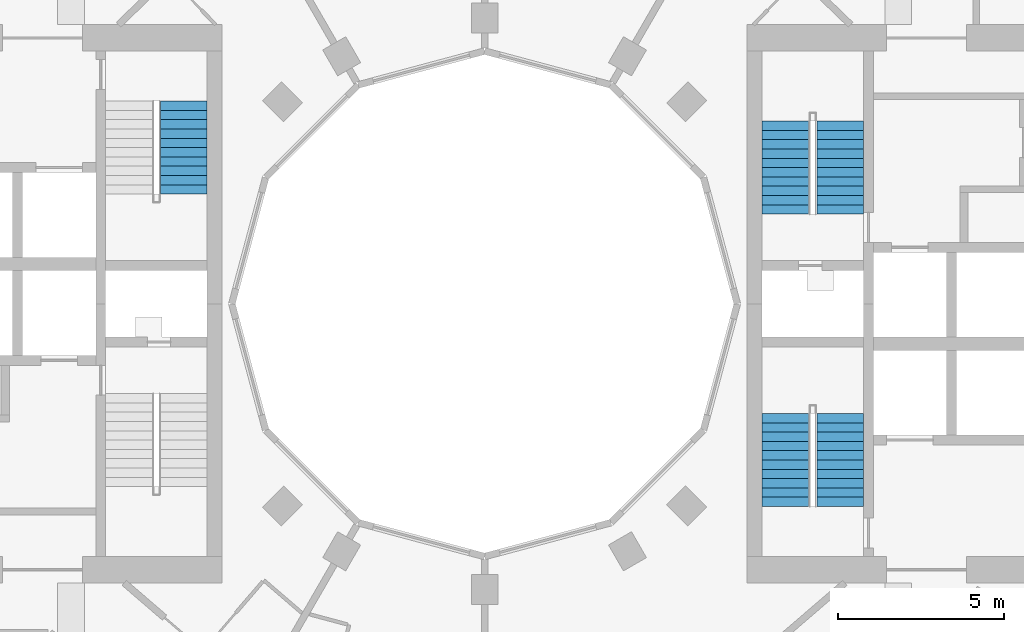
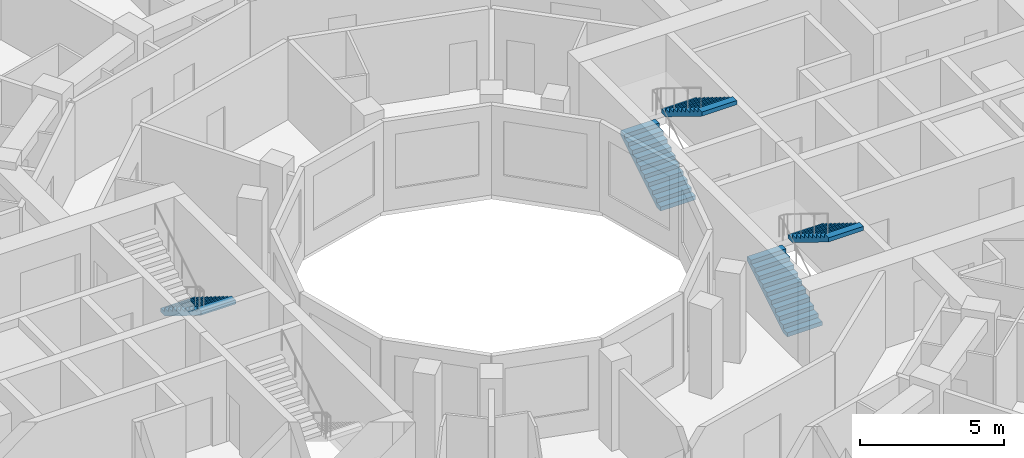
# One storey, part 13 of 15: 5 stair flights, 3 elements without a shape of their own.
"""IFC4 building model written with IfcOpenShell, lengths in metres."""

from ifc_helpers import new_model, si_unit, direction, frame, origin, place, context, subcontext, project, spatial, polyline, outline, extrude, material, layer, layer_set, type_object, element, aggregate, save


model = new_model("IFC4")

# Units and contexts
model_context = context("Model", 3, precision=1e-05, world=origin(), true_north=direction((0.0, 1.0)))
body_context = subcontext(model_context, "Body", "Model", "MODEL_VIEW")
ifc_project = project(units=[si_unit("LENGTHUNIT", "METRE"), si_unit("AREAUNIT", "SQUARE_METRE"), si_unit("VOLUMEUNIT", "CUBIC_METRE"), si_unit("PLANEANGLEUNIT", "RADIAN"), si_unit("MASSUNIT", "GRAM", prefix="KILO")], contexts=[model_context])

# Site, building, storey
site_placement = place(None, origin())
site = spatial("IfcSite", under=ifc_project, at=site_placement, CompositionType="ELEMENT")
building_placement = place(site_placement, origin())
building = spatial("IfcBuilding", under=site, at=building_placement, Name="Torre Brocal", CompositionType="ELEMENT")
storey_placement = place(building_placement, frame((0.0, 0.0, 63.0)))
storey = spatial("IfcBuildingStorey", under=building, at=storey_placement, Name="L14", CompositionType="ELEMENT", Elevation=63.0)

# Stair, stair flights
ifc_material_1 = material(Name="Concrete C50", Category="concrete")
stair_type = type_object("IfcStairType", Name="EXIT STAIR", PredefinedType="HALF_TURN_STAIR", material=ifc_material_1)
stair_1_placement = place(storey_placement, origin())
stair_1 = element("IfcStair", 1, at=stair_1_placement, inside=storey, type_object=stair_type, Name="EXIT STAIR ST1", PredefinedType="HALF_TURN_STAIR")
ifc_material_2 = material(Name="Concrete C50", Category="concrete")
ifc_layer = layer(ifc_material_2, 0.14990234375)
ifc_layer_set = layer_set([ifc_layer], Name="Concrete C50")
stair_flight_type = type_object("IfcStairFlightType", Name="STAIR FLIGHT", PredefinedType="STRAIGHT", material=ifc_layer_set)
stair_flight_1_placement = place(storey_placement, frame((89.050048828125, 77.699951171875, 0.0), z_axis=(0.0, 0.0, 1.0), x_axis=(0.0, 1.0, 0.0)))
stair_flight_1 = element("IfcStairFlight", 2, at=stair_flight_1_placement, type_object=stair_flight_type, Name="ST1 flight 1", NumberOfRisers=11, NumberOfTreads=10, PredefinedType="STRAIGHT", RiserHeight=0.172727273, TreadLength=0.28, context=body_context, shape_type="SweptSolid", body=[
    extrude(outline(polyline([(0.0, 0.0), (0.0, 0.172607421875), (0.280029296875, 0.172607421875), (0.280029296875, 0.345458984375), (0.56005859375, 0.345458984375), (0.56005859375, 0.51806640625), (0.840087890625, 0.51806640625), (0.840087890625, 0.69091796875), (1.1201171875, 0.69091796875), (1.1201171875, 0.863525390625), (1.39990234375, 0.863525390625), (1.39990234375, 1.036376953125), (1.679931640625, 1.036376953125), (1.679931640625, 1.208984375), (1.9599609375, 1.208984375), (1.9599609375, 1.3818359375), (2.239990234375, 1.3818359375), (2.239990234375, 1.554443359375), (2.52001953125, 1.554443359375), (2.52001953125, 1.727294921875), (2.800048828125, 1.727294921875), (2.800048828125, 1.89990234375), (2.800048828125, 1.551025390625), (0.285400390625, 0.0), (0.0, 0.0)])), frame((0.0, 0.699951171875, 0.0), z_axis=(0.0, -1.0, 0.0), x_axis=(1.0, 0.0, 0.0)), (0.0, 0.0, 1.0), 1.39990234375),
])
stair_flight_2_placement = place(storey_placement, frame((90.699951171875, 80.5, 1.89990234375), z_axis=(0.0, 0.0, 1.0), x_axis=(0.0, -1.0, 0.0)))
stair_flight_2 = element("IfcStairFlight", 3, at=stair_flight_2_placement, type_object=stair_flight_type, Name="ST1 flight 2", NumberOfRisers=11, NumberOfTreads=10, PredefinedType="STRAIGHT", RiserHeight=0.172727273, TreadLength=0.28, context=body_context, shape_type="SweptSolid", body=[
    extrude(outline(polyline([(0.0, 0.0), (0.0, 0.172607421875), (0.280029296875, 0.172607421875), (0.280029296875, 0.345458984375), (0.56005859375, 0.345458984375), (0.56005859375, 0.51806640625), (0.840087890625, 0.51806640625), (0.840087890625, 0.69091796875), (1.1201171875, 0.69091796875), (1.1201171875, 0.863525390625), (1.39990234375, 0.863525390625), (1.39990234375, 1.036376953125), (1.679931640625, 1.036376953125), (1.679931640625, 1.208984375), (1.9599609375, 1.208984375), (1.9599609375, 1.3818359375), (2.239990234375, 1.3818359375), (2.239990234375, 1.554443359375), (2.52001953125, 1.554443359375), (2.52001953125, 1.727294921875), (2.800048828125, 1.727294921875), (2.800048828125, 1.89990234375), (2.800048828125, 1.551025390625), (0.285400390625, 0.0), (0.0, 0.0)])), frame((0.0, 0.699951171875, 0.0), z_axis=(0.0, -1.0, 0.0), x_axis=(1.0, 0.0, 0.0)), (0.0, 0.0, 1.0), 1.39990234375),
])
aggregate(stair_1, [stair_flight_1, stair_flight_2])

stair_2_placement = place(storey_placement, origin())
stair_2 = element("IfcStair", 4, at=stair_2_placement, inside=storey, type_object=stair_type, Name="EXIT STAIR ST2", PredefinedType="HALF_TURN_STAIR")
stair_flight_3_placement = place(storey_placement, frame((89.050048828125, 68.89990234375, 0.0), z_axis=(0.0, 0.0, 1.0), x_axis=(0.0, 1.0, 0.0)))
stair_flight_3 = element("IfcStairFlight", 5, at=stair_flight_3_placement, type_object=stair_flight_type, Name="ST2 flight 1", NumberOfRisers=11, NumberOfTreads=10, PredefinedType="STRAIGHT", RiserHeight=0.172727273, TreadLength=0.28, context=body_context, shape_type="SweptSolid", body=[
    extrude(outline(polyline([(0.0, 0.0), (0.0, 0.172607421875), (0.280029296875, 0.172607421875), (0.280029296875, 0.345458984375), (0.56005859375, 0.345458984375), (0.56005859375, 0.51806640625), (0.840087890625, 0.51806640625), (0.840087890625, 0.69091796875), (1.1201171875, 0.69091796875), (1.1201171875, 0.863525390625), (1.39990234375, 0.863525390625), (1.39990234375, 1.036376953125), (1.679931640625, 1.036376953125), (1.679931640625, 1.208984375), (1.9599609375, 1.208984375), (1.9599609375, 1.3818359375), (2.239990234375, 1.3818359375), (2.239990234375, 1.554443359375), (2.52001953125, 1.554443359375), (2.52001953125, 1.727294921875), (2.800048828125, 1.727294921875), (2.800048828125, 1.89990234375), (2.800048828125, 1.551025390625), (0.285400390625, 0.0), (0.0, 0.0)])), frame((0.0, 0.699951171875, 0.0), z_axis=(0.0, -1.0, 0.0), x_axis=(1.0, 0.0, 0.0)), (0.0, 0.0, 1.0), 1.39990234375),
])
stair_flight_4_placement = place(storey_placement, frame((90.699951171875, 71.699951171875, 1.89990234375), z_axis=(0.0, 0.0, 1.0), x_axis=(0.0, -1.0, 0.0)))
stair_flight_4 = element("IfcStairFlight", 6, at=stair_flight_4_placement, type_object=stair_flight_type, Name="ST2 flight 2", NumberOfRisers=11, NumberOfTreads=10, PredefinedType="STRAIGHT", RiserHeight=0.172727273, TreadLength=0.28, context=body_context, shape_type="SweptSolid", body=[
    extrude(outline(polyline([(0.0, 0.0), (0.0, 0.172607421875), (0.280029296875, 0.172607421875), (0.280029296875, 0.345458984375), (0.56005859375, 0.345458984375), (0.56005859375, 0.51806640625), (0.840087890625, 0.51806640625), (0.840087890625, 0.69091796875), (1.1201171875, 0.69091796875), (1.1201171875, 0.863525390625), (1.39990234375, 0.863525390625), (1.39990234375, 1.036376953125), (1.679931640625, 1.036376953125), (1.679931640625, 1.208984375), (1.9599609375, 1.208984375), (1.9599609375, 1.3818359375), (2.239990234375, 1.3818359375), (2.239990234375, 1.554443359375), (2.52001953125, 1.554443359375), (2.52001953125, 1.727294921875), (2.800048828125, 1.727294921875), (2.800048828125, 1.89990234375), (2.800048828125, 1.551025390625), (0.285400390625, 0.0), (0.0, 0.0)])), frame((0.0, 0.699951171875, 0.0), z_axis=(0.0, -1.0, 0.0), x_axis=(1.0, 0.0, 0.0)), (0.0, 0.0, 1.0), 1.39990234375),
])
aggregate(stair_2, [stair_flight_3, stair_flight_4])

# Stair, stair flight
stair_3_placement = place(storey_placement, origin())
stair_3 = element("IfcStair", 7, at=stair_3_placement, inside=storey, type_object=stair_type, Name="EXIT STAIR ST4", PredefinedType="HALF_TURN_STAIR")
stair_flight_5_placement = place(storey_placement, frame((70.949951171875, 81.10009765625, 0.0), z_axis=(0.0, 0.0, 1.0), x_axis=(0.0, -1.0, 0.0)))
stair_flight_5 = element("IfcStairFlight", 8, at=stair_flight_5_placement, type_object=stair_flight_type, Name="ST4 flight 1", NumberOfRisers=11, NumberOfTreads=10, PredefinedType="STRAIGHT", RiserHeight=0.172727273, TreadLength=0.28, context=body_context, shape_type="SweptSolid", body=[
    extrude(outline(polyline([(0.0, 0.0), (0.0, 0.172607421875), (0.280029296875, 0.172607421875), (0.280029296875, 0.345458984375), (0.56005859375, 0.345458984375), (0.56005859375, 0.51806640625), (0.840087890625, 0.51806640625), (0.840087890625, 0.69091796875), (1.1201171875, 0.69091796875), (1.1201171875, 0.863525390625), (1.39990234375, 0.863525390625), (1.39990234375, 1.036376953125), (1.679931640625, 1.036376953125), (1.679931640625, 1.208984375), (1.9599609375, 1.208984375), (1.9599609375, 1.3818359375), (2.239990234375, 1.3818359375), (2.239990234375, 1.554443359375), (2.52001953125, 1.554443359375), (2.52001953125, 1.727294921875), (2.800048828125, 1.727294921875), (2.800048828125, 1.89990234375), (2.800048828125, 1.551025390625), (0.285400390625, 0.0), (0.0, 0.0)])), frame((0.0, 0.699951171875, 0.0), z_axis=(0.0, -1.0, 0.0), x_axis=(1.0, 0.0, 0.0)), (0.0, 0.0, 1.0), 1.39990234375),
])
aggregate(stair_3, [stair_flight_5])

save(model, "model.ifc")
